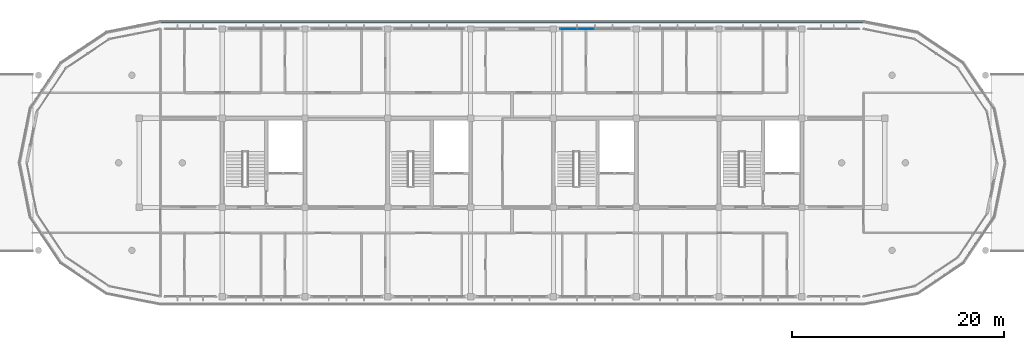
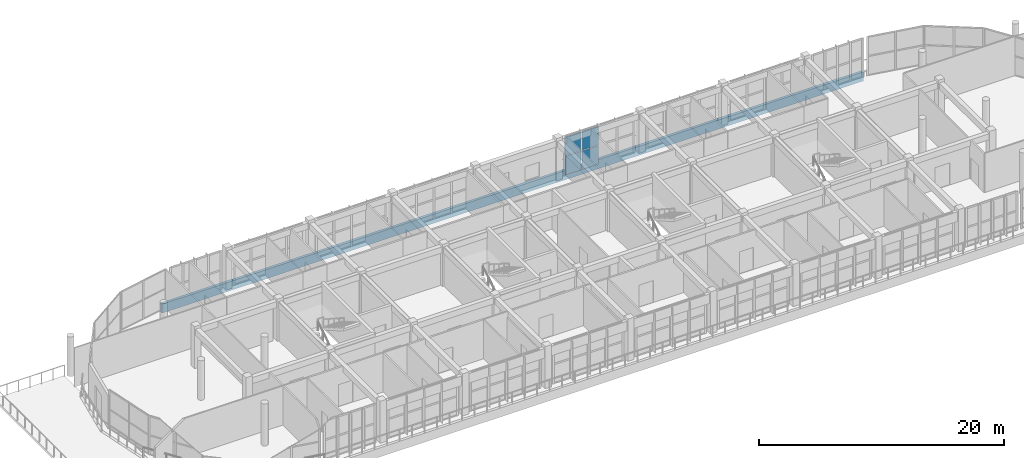
# One storey, part 37 of 50: 5 plates, 1 element without a shape of its own.
"""IFC4 building model written with IfcOpenShell, lengths in metres."""

from ifc_helpers import new_model, si_unit, direction, frame, origin, origin_2d, place, context, subcontext, project, spatial, polyline, rectangle, outline, extrude, material, layer, layer_set, type_object, element, aggregate, save


model = new_model("IFC4")

# Units and contexts
model_context = context("Model", 3, precision=1e-05, world=origin(), true_north=direction((0.0, 1.0)))
body_context = subcontext(model_context, "Body", "Model", "MODEL_VIEW")
ifc_project = project(units=[si_unit("LENGTHUNIT", "METRE"), si_unit("AREAUNIT", "SQUARE_METRE"), si_unit("VOLUMEUNIT", "CUBIC_METRE"), si_unit("PLANEANGLEUNIT", "RADIAN"), si_unit("MASSUNIT", "GRAM", prefix="KILO")], contexts=[model_context])

# Site, building, storey
site_placement = place(None, origin())
site = spatial("IfcSite", under=ifc_project, at=site_placement, CompositionType="ELEMENT")
building_placement = place(site_placement, origin())
building = spatial("IfcBuilding", under=site, at=building_placement, Name="Zizhar Promenade General Hospital", CompositionType="ELEMENT")
storey_placement = place(building_placement, frame((0.0, 0.0, 30.60009765625)))
storey = spatial("IfcBuildingStorey", under=building, at=storey_placement, Name="L07", CompositionType="ELEMENT", Elevation=30.60009765625)

# Curtain wall, plates
ifc_material_1 = material(Name="Anodised aluminium 6063-T6 and low-E glass", Category="aluminium")
ifc_layer_1 = layer(ifc_material_1, 0.159912109375)
ifc_layer_set_1 = layer_set([ifc_layer_1], Name="Anodised aluminium 6063-T6 and low-E glass")
curtain_wall_type = type_object("IfcCurtainWallType", Name="CW-WARD-RIB", PredefinedType="NOTDEFINED", material=ifc_layer_set_1)
curtain_wall_placement = place(storey_placement, origin())
curtain_wall = element("IfcCurtainWall", 1, at=curtain_wall_placement, inside=storey, type_object=curtain_wall_type, Name="Ward Ribbon Curtain Wall L07-8-5", PredefinedType="NOTDEFINED")
ifc_material_2 = material(Name="Low-E solar-control glass", Category="glass")
ifc_layer_2 = layer(ifc_material_2, 0.031982421875)
ifc_layer_set_2 = layer_set([ifc_layer_2], Name="Low-E solar-control glass")
plate_type_1 = type_object("IfcPlateType", Name="CWP-GLZ-32", PredefinedType="CURTAIN_PANEL", material=ifc_layer_set_2)
plate_1_placement = place(storey_placement, frame((79.429931640625, 25.199951171875, 0.06005859375), z_axis=(0.0, 0.0, 1.0), x_axis=(1.0, 0.0, 0.0)))
plate_1 = element("IfcPlate", 2, at=plate_1_placement, type_object=plate_type_1, Name="CW-13 panel 1.1", PredefinedType="CURTAIN_PANEL", context=body_context, shape_type="SweptSolid", body=[
    extrude(rectangle(XDim=1.5400390625, YDim=0.031982421875, at=origin_2d()), origin(), (0.0, 0.0, 1.0), 1.860107421875),
])
plate_2_placement = place(storey_placement, frame((79.429931640625, 25.199951171875, 1.97998046875), z_axis=(0.0, 0.0, 1.0), x_axis=(1.0, 0.0, 0.0)))
plate_2 = element("IfcPlate", 3, at=plate_2_placement, type_object=plate_type_1, Name="CW-13 panel 1.2", PredefinedType="CURTAIN_PANEL", context=body_context, shape_type="SweptSolid", body=[
    extrude(rectangle(XDim=1.5400390625, YDim=0.031982421875, at=origin_2d()), origin(), (0.0, 0.0, 1.0), 1.860107421875),
])
plate_3_placement = place(storey_placement, frame((81.070068359375, 25.199951171875, 0.06005859375), z_axis=(0.0, 0.0, 1.0), x_axis=(1.0, 0.0, 0.0)))
plate_3 = element("IfcPlate", 4, at=plate_3_placement, type_object=plate_type_1, Name="CW-13 panel 2.1", PredefinedType="CURTAIN_PANEL", context=body_context, shape_type="SweptSolid", body=[
    extrude(rectangle(XDim=1.580078125, YDim=0.031982421875, at=origin_2d()), origin(), (0.0, 0.0, 1.0), 1.860107421875),
])
plate_4_placement = place(storey_placement, frame((81.070068359375, 25.199951171875, 1.97998046875), z_axis=(0.0, 0.0, 1.0), x_axis=(1.0, 0.0, 0.0)))
plate_4 = element("IfcPlate", 5, at=plate_4_placement, type_object=plate_type_1, Name="CW-13 panel 2.2", PredefinedType="CURTAIN_PANEL", context=body_context, shape_type="SweptSolid", body=[
    extrude(rectangle(XDim=1.580078125, YDim=0.031982421875, at=origin_2d()), origin(), (0.0, 0.0, 1.0), 1.860107421875),
])
aggregate(curtain_wall, [plate_1, plate_2, plate_3, plate_4])

# Plate
ifc_material_3 = material(Name="Precast concrete C40/50", Category="concrete")
ifc_layer_3 = layer(ifc_material_3, 0.260009765625)
ifc_layer_set_3 = layer_set([ifc_layer_3], Name="Precast concrete C40/50")
plate_type_2 = type_object("IfcPlateType", Name="PL-PC-BAND950", PredefinedType="USERDEFINED", material=ifc_layer_set_3)
plate_5_placement = place(storey_placement, frame((0.0, 0.0, -0.900146484375)))
element("IfcPlate", 6, at=plate_5_placement, inside=storey, type_object=plate_type_2, Name="Ward Precast Slab Band L07-09", ObjectType="FASCIA_BAND", PredefinedType="USERDEFINED", context=body_context, shape_type="SweptSolid", body=[
    extrude(outline(polyline([(107.199951171875, 26.050048828125), (41.0, 26.050048828125), (41.0, 25.7900390625), (107.199951171875, 25.7900390625), (107.199951171875, 26.050048828125)])), origin(), (0.0, 0.0, 1.0), 0.900146484375),
])

save(model, "model.ifc")
